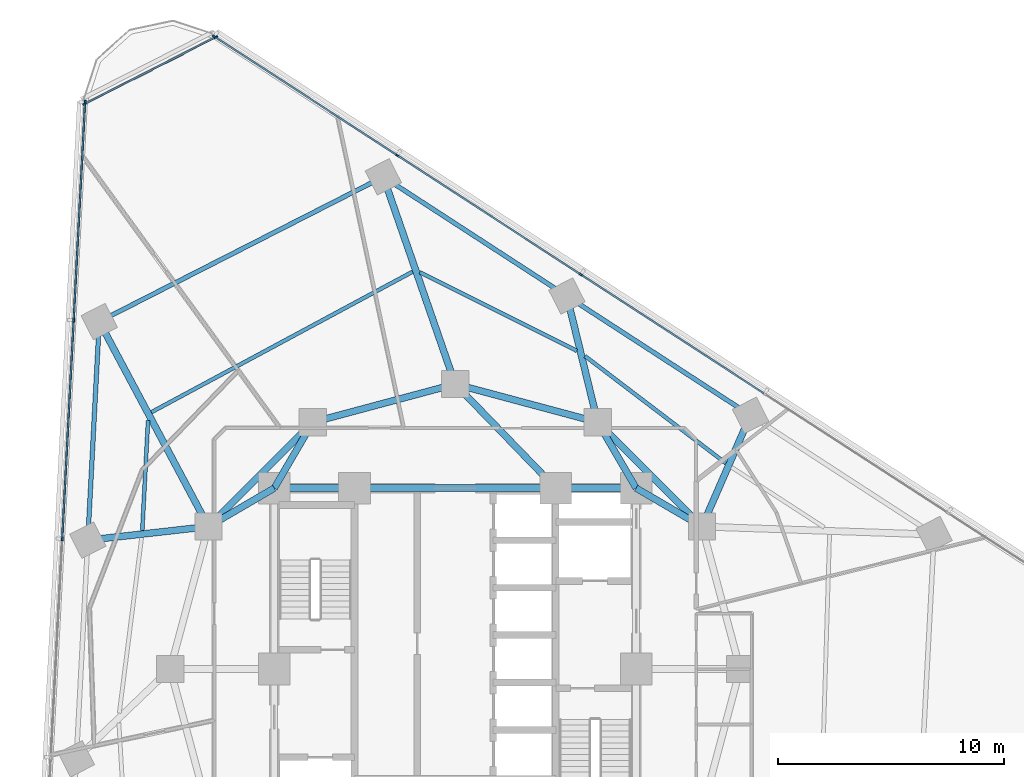
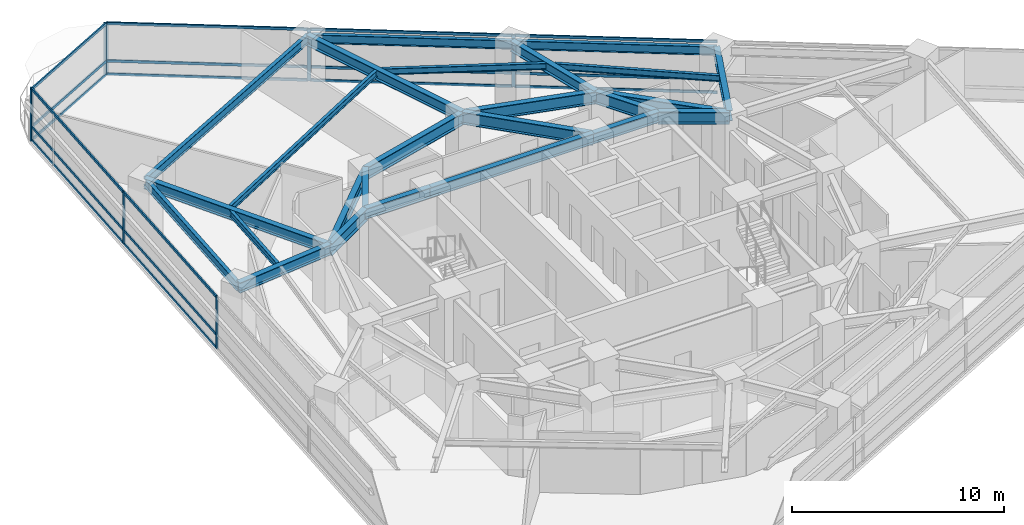
# One storey, part 5 of 14: 26 members, 25 beams, 3 elements without a shape of their own.
"""IFC4 building model written with IfcOpenShell, lengths in metres."""

from ifc_helpers import new_model, si_unit, direction, frame, origin, origin_2d, place, context, subcontext, project, spatial, rectangle, i_section, extrude, material, layer, layer_set, material_profile, profile_set, type_object, element, aggregate, save


model = new_model("IFC4")

# Units and contexts
model_context = context("Model", 3, precision=1e-05, world=origin(), true_north=direction((0.0, 1.0)))
body_context = subcontext(model_context, "Body", "Model", "MODEL_VIEW")
ifc_project = project(units=[si_unit("LENGTHUNIT", "METRE"), si_unit("AREAUNIT", "SQUARE_METRE"), si_unit("VOLUMEUNIT", "CUBIC_METRE"), si_unit("PLANEANGLEUNIT", "RADIAN"), si_unit("MASSUNIT", "GRAM", prefix="KILO")], contexts=[model_context])

# Site, building, storey
site_placement = place(None, origin())
site = spatial("IfcSite", under=ifc_project, at=site_placement, CompositionType="ELEMENT")
building_placement = place(site_placement, origin())
building = spatial("IfcBuilding", under=site, at=building_placement, Name="Terralouvre Media Tower", CompositionType="ELEMENT")
storey_placement = place(building_placement, frame((0.0, 0.0, 119.89990234375)))
storey = spatial("IfcBuildingStorey", under=building, at=storey_placement, Name="L30", CompositionType="ELEMENT", Elevation=119.89990234375)

# Beams
ifc_material_1 = material(Name="Structural steel S355J2", Category="steel")
ifc_material_profile_1 = material_profile(ifc_material_1, i_section(OverallWidth=0.169921875, OverallDepth=0.360107421875, WebThickness=0.008056640625, FlangeThickness=0.0126953125, at=origin_2d()), Name="IPE 360")
ifc_profile_set_1 = profile_set([ifc_material_profile_1], Name="Structural steel S355J2")
beam_type_1 = type_object("IfcBeamType", Name="Composite Floor Joist J-IPE360 (IPE 360)", PredefinedType="JOIST", material=ifc_profile_set_1)
beam_1_placement = place(storey_placement, frame((11.970703125, 9.098388671875, 3.320068359375), z_axis=(-0.795913950382, 0.605409765024, 0.0), x_axis=(-0.605409765024, -0.795913950382, 0.0)))
element("IfcBeam", 1, at=beam_1_placement, inside=storey, type_object=beam_type_1, Name="L30 Framing Beam JT-L30-08", PredefinedType="JOIST", context=body_context, shape_type="SweptSolid", body=[
    extrude(i_section(OverallWidth=0.169921875, OverallDepth=0.360107421875, WebThickness=0.008056640625, FlangeThickness=0.0126953125, at=origin_2d()), origin(), (0.0, 0.0, 1.0), 7.8291015625),
])
beam_2_placement = place(storey_placement, frame((5.37744140625, 14.068603515625, 3.320068359375), z_axis=(-0.893973577097, 0.448119675368, 0.0), x_axis=(-0.448119675368, -0.893973577097, 0.0)))
element("IfcBeam", 2, at=beam_2_placement, inside=storey, type_object=beam_type_1, Name="L30 Framing Beam JT-L30-09", PredefinedType="JOIST", context=body_context, shape_type="SweptSolid", body=[
    extrude(i_section(OverallWidth=0.169921875, OverallDepth=0.360107421875, WebThickness=0.008056640625, FlangeThickness=0.0126953125, at=origin_2d()), origin(), (0.0, 0.0, 1.0), 7.758056640625),
])
beam_3_placement = place(storey_placement, frame((-1.880615234375, 17.569580078125, 3.320068359375), z_axis=(-0.880744642144, -0.473591464592, 0.0), x_axis=(0.473591464592, -0.880744642144, 0.0)))
element("IfcBeam", 3, at=beam_3_placement, inside=storey, type_object=beam_type_1, Name="L30 Framing Beam JT-L30-10", PredefinedType="JOIST", context=body_context, shape_type="SweptSolid", body=[
    extrude(i_section(OverallWidth=0.169921875, OverallDepth=0.360107421875, WebThickness=0.008056640625, FlangeThickness=0.0126953125, at=origin_2d()), origin(), (0.0, 0.0, 1.0), 13.11865234375),
])
beam_4_placement = place(storey_placement, frame((-13.58203125, 10.9970703125, 3.320068359375), z_axis=(-0.052377831518, -0.998627339284, 0.0), x_axis=(0.998627339284, -0.052377831518, 0.0)))
element("IfcBeam", 4, at=beam_4_placement, inside=storey, type_object=beam_type_1, Name="L30 Framing Beam JT-L30-11", PredefinedType="JOIST", context=body_context, shape_type="SweptSolid", body=[
    extrude(i_section(OverallWidth=0.169921875, OverallDepth=0.360107421875, WebThickness=0.008056640625, FlangeThickness=0.0126953125, at=origin_2d()), origin(), (0.0, 0.0, 1.0), 4.884765625),
])

# Curtain wall, members
ifc_material_2 = material(Name="Low-iron laminated double glazing with solar-control coating", Category="glass")
ifc_layer_1 = layer(ifc_material_2, 0.1650390625, Name="Production Studio Tower Curtain Wall CW-03")
ifc_layer_set_1 = layer_set([ifc_layer_1], Name="Low-iron laminated double glazing with solar-control coating")
curtain_wall_type_1 = type_object("IfcCurtainWallType", Name="Production Studio Tower Curtain Wall CW-03", PredefinedType="NOTDEFINED", material=ifc_layer_set_1)
curtain_wall_1_placement = place(storey_placement, origin())
curtain_wall_1 = element("IfcCurtainWall", 5, at=curtain_wall_1_placement, inside=storey, type_object=curtain_wall_type_1, Name="L30 Facade Curtain Wall F1", PredefinedType="NOTDEFINED")
ifc_material_3 = material(Name="Anodised extruded aluminium 6063-T6", Category="aluminium")
ifc_material_profile_2 = material_profile(ifc_material_3, rectangle(XDim=0.074951171875, YDim=0.14990234375, at=origin_2d()), Name="ALU 75x150")
ifc_profile_set_2 = profile_set([ifc_material_profile_2], Name="Anodised extruded aluminium 6063-T6")
member_type_1 = type_object("IfcMemberType", Name="Curtain-Wall Horizontal Transom TR-150", PredefinedType="USERDEFINED", material=ifc_profile_set_2)
member_1_placement = place(storey_placement, frame((13.6416015625, 12.1884765625, 0.03759765625), z_axis=(-0.838672931076, 0.544635396095, 0.0), x_axis=(-0.544635396095, -0.838672931076, 0.0)))
member_1 = element("IfcMember", 6, at=member_1_placement, type_object=member_type_1, Name="CW-03 transom 3.1", ObjectType="TRANSOM", PredefinedType="USERDEFINED", context=body_context, shape_type="SweptSolid", body=[
    extrude(rectangle(XDim=0.074951171875, YDim=0.14990234375, at=origin_2d()), origin(), (0.0, 0.0, 1.0), 9.60498046875),
])
member_2_placement = place(storey_placement, frame((13.6416015625, 12.1884765625, 0.800048828125), z_axis=(-0.838672931076, 0.544635396095, 0.0), x_axis=(-0.544635396095, -0.838672931076, 0.0)))
member_2 = element("IfcMember", 7, at=member_2_placement, type_object=member_type_1, Name="CW-03 transom 3.2", ObjectType="TRANSOM", PredefinedType="USERDEFINED", context=body_context, shape_type="SweptSolid", body=[
    extrude(rectangle(XDim=0.074951171875, YDim=0.14990234375, at=origin_2d()), origin(), (0.0, 0.0, 1.0), 9.60498046875),
])
member_3_placement = place(storey_placement, frame((13.6416015625, 12.1884765625, 2.962646484375), z_axis=(-0.838672931076, 0.544635396095, 0.0), x_axis=(-0.544635396095, -0.838672931076, 0.0)))
member_3 = element("IfcMember", 8, at=member_3_placement, type_object=member_type_1, Name="CW-03 transom 3.3", ObjectType="TRANSOM", PredefinedType="USERDEFINED", context=body_context, shape_type="SweptSolid", body=[
    extrude(rectangle(XDim=0.074951171875, YDim=0.14990234375, at=origin_2d()), origin(), (0.0, 0.0, 1.0), 9.60498046875),
])
member_4_placement = place(storey_placement, frame((5.523193359375, 17.460693359375, 0.03759765625), z_axis=(-0.838672931076, 0.544635396095, 0.0), x_axis=(-0.544635396095, -0.838672931076, 0.0)))
member_4 = element("IfcMember", 9, at=member_4_placement, type_object=member_type_1, Name="CW-03 transom 4.1", ObjectType="TRANSOM", PredefinedType="USERDEFINED", context=body_context, shape_type="SweptSolid", body=[
    extrude(rectangle(XDim=0.074951171875, YDim=0.14990234375, at=origin_2d()), origin(), (0.0, 0.0, 1.0), 9.60498046875),
])
member_5_placement = place(storey_placement, frame((5.523193359375, 17.460693359375, 0.800048828125), z_axis=(-0.838672931076, 0.544635396095, 0.0), x_axis=(-0.544635396095, -0.838672931076, 0.0)))
member_5 = element("IfcMember", 10, at=member_5_placement, type_object=member_type_1, Name="CW-03 transom 4.2", ObjectType="TRANSOM", PredefinedType="USERDEFINED", context=body_context, shape_type="SweptSolid", body=[
    extrude(rectangle(XDim=0.074951171875, YDim=0.14990234375, at=origin_2d()), origin(), (0.0, 0.0, 1.0), 9.60498046875),
])
member_6_placement = place(storey_placement, frame((5.523193359375, 17.460693359375, 2.962646484375), z_axis=(-0.838672931076, 0.544635396095, 0.0), x_axis=(-0.544635396095, -0.838672931076, 0.0)))
member_6 = element("IfcMember", 11, at=member_6_placement, type_object=member_type_1, Name="CW-03 transom 4.3", ObjectType="TRANSOM", PredefinedType="USERDEFINED", context=body_context, shape_type="SweptSolid", body=[
    extrude(rectangle(XDim=0.074951171875, YDim=0.14990234375, at=origin_2d()), origin(), (0.0, 0.0, 1.0), 9.60498046875),
])
member_7_placement = place(storey_placement, frame((-2.594970703125, 22.732666015625, 0.03759765625), z_axis=(-0.838671492993, 0.544637610565, 0.0), x_axis=(-0.544637610565, -0.838671492993, 0.0)))
member_7 = element("IfcMember", 12, at=member_7_placement, type_object=member_type_1, Name="CW-03 transom 5.1", ObjectType="TRANSOM", PredefinedType="USERDEFINED", context=body_context, shape_type="SweptSolid", body=[
    extrude(rectangle(XDim=0.074951171875, YDim=0.14990234375, at=origin_2d()), origin(), (0.0, 0.0, 1.0), 9.567626953125),
])
member_8_placement = place(storey_placement, frame((-2.594970703125, 22.732666015625, 0.800048828125), z_axis=(-0.838671492993, 0.544637610565, 0.0), x_axis=(-0.544637610565, -0.838671492993, 0.0)))
member_8 = element("IfcMember", 13, at=member_8_placement, type_object=member_type_1, Name="CW-03 transom 5.2", ObjectType="TRANSOM", PredefinedType="USERDEFINED", context=body_context, shape_type="SweptSolid", body=[
    extrude(rectangle(XDim=0.074951171875, YDim=0.14990234375, at=origin_2d()), origin(), (0.0, 0.0, 1.0), 9.567626953125),
])
member_9_placement = place(storey_placement, frame((-2.594970703125, 22.732666015625, 2.962646484375), z_axis=(-0.838671492993, 0.544637610565, 0.0), x_axis=(-0.544637610565, -0.838671492993, 0.0)))
member_9 = element("IfcMember", 14, at=member_9_placement, type_object=member_type_1, Name="CW-03 transom 5.3", ObjectType="TRANSOM", PredefinedType="USERDEFINED", context=body_context, shape_type="SweptSolid", body=[
    extrude(rectangle(XDim=0.074951171875, YDim=0.14990234375, at=origin_2d()), origin(), (0.0, 0.0, 1.0), 9.567626953125),
])

curtain_wall_2_placement = place(storey_placement, origin())
curtain_wall_2 = element("IfcCurtainWall", 15, at=curtain_wall_2_placement, inside=storey, type_object=curtain_wall_type_1, Name="L30 Facade Curtain Wall F2", PredefinedType="NOTDEFINED")
member_10_placement = place(storey_placement, frame((-16.364990234375, 25.015869140625, 0.03759765625), z_axis=(-0.052336504837, -0.998629506004, 0.0), x_axis=(0.998629506004, -0.052336504837, 0.0)))
member_10 = element("IfcMember", 16, at=member_10_placement, type_object=member_type_1, Name="CW-03 transom 1.1", ObjectType="TRANSOM", PredefinedType="USERDEFINED", context=body_context, shape_type="SweptSolid", body=[
    extrude(rectangle(XDim=0.074951171875, YDim=0.14990234375, at=origin_2d()), origin(), (0.0, 0.0, 1.0), 9.567626953125),
])
member_11_placement = place(storey_placement, frame((-16.364990234375, 25.015869140625, 0.800048828125), z_axis=(-0.052336504837, -0.998629506004, 0.0), x_axis=(0.998629506004, -0.052336504837, 0.0)))
member_11 = element("IfcMember", 17, at=member_11_placement, type_object=member_type_1, Name="CW-03 transom 1.2", ObjectType="TRANSOM", PredefinedType="USERDEFINED", context=body_context, shape_type="SweptSolid", body=[
    extrude(rectangle(XDim=0.074951171875, YDim=0.14990234375, at=origin_2d()), origin(), (0.0, 0.0, 1.0), 9.567626953125),
])
member_12_placement = place(storey_placement, frame((-16.364990234375, 25.015869140625, 2.962646484375), z_axis=(-0.052336504837, -0.998629506004, 0.0), x_axis=(0.998629506004, -0.052336504837, 0.0)))
member_12 = element("IfcMember", 18, at=member_12_placement, type_object=member_type_1, Name="CW-03 transom 1.3", ObjectType="TRANSOM", PredefinedType="USERDEFINED", context=body_context, shape_type="SweptSolid", body=[
    extrude(rectangle(XDim=0.074951171875, YDim=0.14990234375, at=origin_2d()), origin(), (0.0, 0.0, 1.0), 9.567626953125),
])
member_13_placement = place(storey_placement, frame((-16.86962890625, 15.386474609375, 0.03759765625), z_axis=(-0.052336036535, -0.998629530547, 0.0), x_axis=(0.998629530547, -0.052336036535, 0.0)))
member_13 = element("IfcMember", 19, at=member_13_placement, type_object=member_type_1, Name="CW-03 transom 2.1", ObjectType="TRANSOM", PredefinedType="USERDEFINED", context=body_context, shape_type="SweptSolid", body=[
    extrude(rectangle(XDim=0.074951171875, YDim=0.14990234375, at=origin_2d()), origin(), (0.0, 0.0, 1.0), 9.60498046875),
])
member_14_placement = place(storey_placement, frame((-16.86962890625, 15.386474609375, 0.800048828125), z_axis=(-0.052336036535, -0.998629530547, 0.0), x_axis=(0.998629530547, -0.052336036535, 0.0)))
member_14 = element("IfcMember", 20, at=member_14_placement, type_object=member_type_1, Name="CW-03 transom 2.2", ObjectType="TRANSOM", PredefinedType="USERDEFINED", context=body_context, shape_type="SweptSolid", body=[
    extrude(rectangle(XDim=0.074951171875, YDim=0.14990234375, at=origin_2d()), origin(), (0.0, 0.0, 1.0), 9.60498046875),
])
member_15_placement = place(storey_placement, frame((-16.86962890625, 15.386474609375, 2.962646484375), z_axis=(-0.052336036535, -0.998629530547, 0.0), x_axis=(0.998629530547, -0.052336036535, 0.0)))
member_15 = element("IfcMember", 21, at=member_15_placement, type_object=member_type_1, Name="CW-03 transom 2.3", ObjectType="TRANSOM", PredefinedType="USERDEFINED", context=body_context, shape_type="SweptSolid", body=[
    extrude(rectangle(XDim=0.074951171875, YDim=0.14990234375, at=origin_2d()), origin(), (0.0, 0.0, 1.0), 9.60498046875),
])

ifc_material_4 = material(Name="Low-iron laminated double glazing with solar-control coating", Category="glass")
ifc_layer_2 = layer(ifc_material_4, 0.1650390625, Name="Rounded Wind-Corner Curved Glazing CW-04")
ifc_layer_set_2 = layer_set([ifc_layer_2], Name="Low-iron laminated double glazing with solar-control coating")
curtain_wall_type_2 = type_object("IfcCurtainWallType", Name="Rounded Wind-Corner Curved Glazing CW-04", PredefinedType="NOTDEFINED", material=ifc_layer_set_2)
curtain_wall_3_placement = place(storey_placement, origin())
curtain_wall_3 = element("IfcCurtainWall", 22, at=curtain_wall_3_placement, inside=storey, type_object=curtain_wall_type_2, Name="L30 Rounded Wind-Corner Curtain Wall C2", PredefinedType="NOTDEFINED")
member_16_placement = place(storey_placement, frame((-10.619873046875, 27.92626953125, 0.03759765625), z_axis=(-0.891007919555, -0.453987761167, 0.0), x_axis=(0.453987761167, -0.891007919555, 0.0)))
member_16 = element("IfcMember", 23, at=member_16_placement, type_object=member_type_1, Name="CW-04 transom 1.1", ObjectType="TRANSOM", PredefinedType="USERDEFINED", context=body_context, shape_type="SweptSolid", body=[
    extrude(rectangle(XDim=0.074951171875, YDim=0.14990234375, at=origin_2d()), origin(), (0.0, 0.0, 1.0), 6.431640625),
])
member_17_placement = place(storey_placement, frame((-10.619873046875, 27.92626953125, 0.800048828125), z_axis=(-0.891007919555, -0.453987761167, 0.0), x_axis=(0.453987761167, -0.891007919555, 0.0)))
member_17 = element("IfcMember", 24, at=member_17_placement, type_object=member_type_1, Name="CW-04 transom 1.2", ObjectType="TRANSOM", PredefinedType="USERDEFINED", context=body_context, shape_type="SweptSolid", body=[
    extrude(rectangle(XDim=0.074951171875, YDim=0.14990234375, at=origin_2d()), origin(), (0.0, 0.0, 1.0), 6.431640625),
])
member_18_placement = place(storey_placement, frame((-10.619873046875, 27.92626953125, 2.962646484375), z_axis=(-0.891007919555, -0.453987761167, 0.0), x_axis=(0.453987761167, -0.891007919555, 0.0)))
member_18 = element("IfcMember", 25, at=member_18_placement, type_object=member_type_1, Name="CW-04 transom 1.3", ObjectType="TRANSOM", PredefinedType="USERDEFINED", context=body_context, shape_type="SweptSolid", body=[
    extrude(rectangle(XDim=0.074951171875, YDim=0.14990234375, at=origin_2d()), origin(), (0.0, 0.0, 1.0), 6.431640625),
])

# Member
ifc_material_5 = material(Name="Anodised extruded aluminium 6063-T6", Category="aluminium")
ifc_material_profile_3 = material_profile(ifc_material_5, rectangle(XDim=0.074951171875, YDim=0.179931640625, at=origin_2d()), Name="ALU 75x180")
ifc_profile_set_3 = profile_set([ifc_material_profile_3], Name="Anodised extruded aluminium 6063-T6")
member_type_2 = type_object("IfcMemberType", Name="Curtain-Wall Vertical Mullion ML-180", PredefinedType="MULLION", material=ifc_profile_set_3)
member_19_placement = place(storey_placement, frame((5.5546875, 17.440185546875, 0.0), z_axis=(0.0, 0.0, 1.0), x_axis=(-0.544639002681, -0.838670588944, 0.0)))
member_19 = element("IfcMember", 26, at=member_19_placement, type_object=member_type_2, Name="CW-03 mullion 4", PredefinedType="MULLION", context=body_context, shape_type="SweptSolid", body=[
    extrude(rectangle(XDim=0.074951171875, YDim=0.179931640625, at=origin_2d()), origin(), (0.0, 0.0, 1.0), 3.0),
])

member_20_placement = place(storey_placement, frame((-2.5634765625, 22.712158203125, 0.0), z_axis=(0.0, 0.0, 1.0), x_axis=(-0.544639002681, -0.838670588944, 0.0)))
member_20 = element("IfcMember", 27, at=member_20_placement, type_object=member_type_2, Name="CW-03 mullion 5", PredefinedType="MULLION", context=body_context, shape_type="SweptSolid", body=[
    extrude(rectangle(XDim=0.074951171875, YDim=0.179931640625, at=origin_2d()), origin(), (0.0, 0.0, 1.0), 3.0),
])

member_21_placement = place(storey_placement, frame((-10.650390625, 27.9638671875, 0.0), z_axis=(0.0, 0.0, 1.0), x_axis=(-0.544639002681, -0.838670588944, 0.0)))
member_21 = element("IfcMember", 28, at=member_21_placement, type_object=member_type_2, Name="CW-03 mullion 6", PredefinedType="MULLION", context=body_context, shape_type="SweptSolid", body=[
    extrude(rectangle(XDim=0.074951171875, YDim=0.179931640625, at=origin_2d()), origin(), (0.0, 0.0, 1.0), 3.0),
])

aggregate(curtain_wall_1, [member_19, member_20, member_21, member_1, member_2, member_3, member_4, member_5, member_6, member_7, member_8, member_9])

member_22_placement = place(storey_placement, frame((-16.363037109375, 25.05322265625, 0.0), z_axis=(0.0, 0.0, 1.0), x_axis=(0.998629535089, -0.052335949864, 0.0)))
member_22 = element("IfcMember", 29, at=member_22_placement, type_object=member_type_2, Name="CW-03 mullion 1", PredefinedType="MULLION", context=body_context, shape_type="SweptSolid", body=[
    extrude(rectangle(XDim=0.074951171875, YDim=0.179931640625, at=origin_2d()), origin(), (0.0, 0.0, 1.0), 3.0),
])

member_23_placement = place(storey_placement, frame((-16.86767578125, 15.423828125, 0.0), z_axis=(0.0, 0.0, 1.0), x_axis=(0.998629535089, -0.052335949864, 0.0)))
member_23 = element("IfcMember", 30, at=member_23_placement, type_object=member_type_2, Name="CW-03 mullion 2", PredefinedType="MULLION", context=body_context, shape_type="SweptSolid", body=[
    extrude(rectangle(XDim=0.074951171875, YDim=0.179931640625, at=origin_2d()), origin(), (0.0, 0.0, 1.0), 3.0),
])

member_24_placement = place(storey_placement, frame((-17.374267578125, 5.757080078125, 0.0), z_axis=(0.0, 0.0, 1.0), x_axis=(0.998629535089, -0.052335949864, 0.0)))
member_24 = element("IfcMember", 31, at=member_24_placement, type_object=member_type_2, Name="CW-03 mullion 3", PredefinedType="MULLION", context=body_context, shape_type="SweptSolid", body=[
    extrude(rectangle(XDim=0.074951171875, YDim=0.179931640625, at=origin_2d()), origin(), (0.0, 0.0, 1.0), 3.0),
])

aggregate(curtain_wall_2, [member_22, member_23, member_24, member_10, member_11, member_12, member_13, member_14, member_15])

member_25_placement = place(storey_placement, frame((-10.58642578125, 27.943359375, 0.0), z_axis=(0.0, 0.0, 1.0), x_axis=(0.45399035059, -0.891006600184, 0.0)))
member_25 = element("IfcMember", 32, at=member_25_placement, type_object=member_type_2, Name="CW-04 mullion 1", PredefinedType="MULLION", context=body_context, shape_type="SweptSolid", body=[
    extrude(rectangle(XDim=0.074951171875, YDim=0.179931640625, at=origin_2d()), origin(), (0.0, 0.0, 1.0), 3.0),
])

member_26_placement = place(storey_placement, frame((-16.384033203125, 24.9892578125, 0.0), z_axis=(0.0, 0.0, 1.0), x_axis=(0.45399035059, -0.891006600184, 0.0)))
member_26 = element("IfcMember", 33, at=member_26_placement, type_object=member_type_2, Name="CW-04 mullion 2", PredefinedType="MULLION", context=body_context, shape_type="SweptSolid", body=[
    extrude(rectangle(XDim=0.074951171875, YDim=0.179931640625, at=origin_2d()), origin(), (0.0, 0.0, 1.0), 3.0),
])

aggregate(curtain_wall_3, [member_25, member_26, member_16, member_17, member_18])

# Beams
ifc_material_6 = material(Name="Structural steel S355J2", Category="steel")
ifc_material_profile_4 = material_profile(ifc_material_6, i_section(OverallWidth=0.199951171875, OverallDepth=0.5, WebThickness=0.01025390625, FlangeThickness=0.01611328125, at=origin_2d()), Name="IPE 500")
ifc_profile_set_4 = profile_set([ifc_material_profile_4], Name="Structural steel S355J2")
beam_type_2 = type_object("IfcBeamType", Name="Perimeter Spandrel Beam SPB-500 (IPE 500)", PredefinedType="SPANDREL", material=ifc_profile_set_4)
for number, where, z_axis, x_axis, name in (
    (34, (13.0576171875, 11.220458984375, 3.25), (-0.838679216118, 0.544625717765, 0.0), (-0.544625717765, -0.838679216118, 0.0), "L30 Framing Beam BM-L30-PR08"),
    (35, (4.939208984375, 16.492431640625, 3.25), (-0.838660214263, 0.544654977956, 0.0), (-0.544654977956, -0.838660214263, 0.0), "L30 Framing Beam BM-L30-PR09"),
):
    element("IfcBeam", number, at=place(storey_placement, frame(where, z_axis=z_axis, x_axis=x_axis)), inside=storey, type_object=beam_type_2, Name=name, PredefinedType="SPANDREL", context=body_context, shape_type="SweptSolid", body=[
        extrude(i_section(OverallWidth=0.199951171875, OverallDepth=0.5, WebThickness=0.01025390625, FlangeThickness=0.01611328125, at=origin_2d()), origin(), (0.0, 0.0, 1.0), 9.679931640625),
    ])
beam_5_placement = place(storey_placement, frame((-3.178955078125, 21.7646484375, 3.25), z_axis=(-0.891003412269, -0.453996607173, 0.0), x_axis=(0.453996607173, -0.891003412269, 0.0)))
element("IfcBeam", 36, at=beam_5_placement, inside=storey, type_object=beam_type_2, Name="L30 Framing Beam BM-L30-PR10", PredefinedType="SPANDREL", context=body_context, shape_type="SweptSolid", body=[
    extrude(i_section(OverallWidth=0.199951171875, OverallDepth=0.5, WebThickness=0.01025390625, FlangeThickness=0.01611328125, at=origin_2d()), origin(), (0.0, 0.0, 1.0), 14.096923828125),
])
beam_6_placement = place(storey_placement, frame((-15.7392578125, 15.36474609375, 3.25), z_axis=(-0.052333792648, -0.998629648141, 0.0), x_axis=(0.998629648141, -0.052333792648, 0.0)))
element("IfcBeam", 37, at=beam_6_placement, inside=storey, type_object=beam_type_2, Name="L30 Framing Beam BM-L30-PR11", PredefinedType="SPANDREL", context=body_context, shape_type="SweptSolid", body=[
    extrude(i_section(OverallWidth=0.199951171875, OverallDepth=0.5, WebThickness=0.01025390625, FlangeThickness=0.01611328125, at=origin_2d()), origin(), (0.0, 0.0, 1.0), 9.679931640625),
])
ifc_material_7 = material(Name="Structural steel S460M", Category="steel")
ifc_material_profile_5 = material_profile(ifc_material_7, i_section(OverallWidth=0.300048828125, OverallDepth=0.60009765625, WebThickness=0.015380859375, FlangeThickness=0.030029296875, at=origin_2d()), Name="HEB 600")
ifc_profile_set_5 = profile_set([ifc_material_profile_5], Name="Structural steel S460M")
beam_type_3 = type_object("IfcBeamType", Name="Primary Floor Girder B-HEB600 (HEB 600)", PredefinedType="BEAM", material=ifc_profile_set_5)
beam_7_placement = place(storey_placement, frame((8.0, 8.0, 3.2001953125), z_axis=(-1.0, 0.0, 0.0), x_axis=(0.0, -1.0, 0.0)))
element("IfcBeam", 38, at=beam_7_placement, inside=storey, type_object=beam_type_3, Name="L30 Framing Beam BM-L30-CPR06", PredefinedType="BEAM", context=body_context, shape_type="SweptSolid", body=[
    extrude(i_section(OverallWidth=0.300048828125, OverallDepth=0.60009765625, WebThickness=0.015380859375, FlangeThickness=0.030029296875, at=origin_2d()), origin(), (0.0, 0.0, 1.0), 3.550048828125),
])
beam_8_placement = place(storey_placement, frame((4.449951171875, 8.0, 3.2001953125), z_axis=(-1.0, 0.0, 0.0), x_axis=(0.0, -1.0, 0.0)))
element("IfcBeam", 39, at=beam_8_placement, inside=storey, type_object=beam_type_3, Name="L30 Framing Beam BM-L30-CPR07", PredefinedType="BEAM", context=body_context, shape_type="SweptSolid", body=[
    extrude(i_section(OverallWidth=0.300048828125, OverallDepth=0.60009765625, WebThickness=0.015380859375, FlangeThickness=0.030029296875, at=origin_2d()), origin(), (0.0, 0.0, 1.0), 8.89990234375),
])
beam_9_placement = place(storey_placement, frame((-4.449951171875, 8.0, 3.2001953125), z_axis=(-1.0, 0.0, 0.0), x_axis=(0.0, -1.0, 0.0)))
element("IfcBeam", 40, at=beam_9_placement, inside=storey, type_object=beam_type_3, Name="L30 Framing Beam BM-L30-CPR08", PredefinedType="BEAM", context=body_context, shape_type="SweptSolid", body=[
    extrude(i_section(OverallWidth=0.300048828125, OverallDepth=0.60009765625, WebThickness=0.015380859375, FlangeThickness=0.030029296875, at=origin_2d()), origin(), (0.0, 0.0, 1.0), 3.550048828125),
])
beam_10_placement = place(storey_placement, frame((10.911865234375, 6.300048828125, 3.2001953125), z_axis=(0.39973535277, 0.916630595031, 0.0), x_axis=(-0.916630595031, 0.39973535277, 0.0)))
element("IfcBeam", 41, at=beam_10_placement, inside=storey, type_object=beam_type_3, Name="L30 Framing Beam BM-L30-RD08", PredefinedType="BEAM", context=body_context, shape_type="SweptSolid", body=[
    extrude(i_section(OverallWidth=0.300048828125, OverallDepth=0.60009765625, WebThickness=0.015380859375, FlangeThickness=0.030029296875, at=origin_2d()), origin(), (0.0, 0.0, 1.0), 5.367919921875),
])
beam_11_placement = place(storey_placement, frame((6.300048828125, 10.911865234375, 3.2001953125), z_axis=(-0.23691117125, 0.971531315469, 0.0), x_axis=(-0.971531315469, -0.23691117125, 0.0)))
element("IfcBeam", 42, at=beam_11_placement, inside=storey, type_object=beam_type_3, Name="L30 Framing Beam BM-L30-RD09", PredefinedType="BEAM", context=body_context, shape_type="SweptSolid", body=[
    extrude(i_section(OverallWidth=0.300048828125, OverallDepth=0.60009765625, WebThickness=0.015380859375, FlangeThickness=0.030029296875, at=origin_2d()), origin(), (0.0, 0.0, 1.0), 5.744140625),
])
beam_12_placement = place(storey_placement, frame((0.0, 12.60009765625, 3.2001953125), z_axis=(-0.327719061781, 0.944775220116, 0.0), x_axis=(-0.944775220116, -0.327719061781, 0.0)))
element("IfcBeam", 43, at=beam_12_placement, inside=storey, type_object=beam_type_3, Name="L30 Framing Beam BM-L30-RD10", PredefinedType="BEAM", context=body_context, shape_type="SweptSolid", body=[
    extrude(i_section(OverallWidth=0.300048828125, OverallDepth=0.60009765625, WebThickness=0.015380859375, FlangeThickness=0.030029296875, at=origin_2d()), origin(), (0.0, 0.0, 1.0), 9.7001953125),
])
beam_13_placement = place(storey_placement, frame((-10.911865234375, 6.300048828125, 3.2001953125), z_axis=(-0.470048953024, 0.882640346778, 0.0), x_axis=(-0.882640346778, -0.470048953024, 0.0)))
element("IfcBeam", 44, at=beam_13_placement, inside=storey, type_object=beam_type_3, Name="L30 Framing Beam BM-L30-RD11", PredefinedType="BEAM", context=body_context, shape_type="SweptSolid", body=[
    extrude(i_section(OverallWidth=0.300048828125, OverallDepth=0.60009765625, WebThickness=0.015380859375, FlangeThickness=0.030029296875, at=origin_2d()), origin(), (0.0, 0.0, 1.0), 10.27001953125),
])
beam_14_placement = place(storey_placement, frame((-10.911865234375, 6.300048828125, 3.2001953125), z_axis=(-0.993690322099, -0.112158565283, 0.0), x_axis=(0.112158565283, -0.993690322099, 0.0)))
element("IfcBeam", 45, at=beam_14_placement, inside=storey, type_object=beam_type_3, Name="L30 Framing Beam BM-L30-RD12", PredefinedType="BEAM", context=body_context, shape_type="SweptSolid", body=[
    extrude(i_section(OverallWidth=0.300048828125, OverallDepth=0.60009765625, WebThickness=0.015380859375, FlangeThickness=0.030029296875, at=origin_2d()), origin(), (0.0, 0.0, 1.0), 5.367919921875),
])
ifc_material_8 = material(Name="Structural steel S460M", Category="steel")
ifc_material_profile_6 = material_profile(ifc_material_8, i_section(OverallWidth=0.300048828125, OverallDepth=0.699951171875, WebThickness=0.01708984375, FlangeThickness=0.031982421875, at=origin_2d()), Name="HEB 700")
ifc_profile_set_6 = profile_set([ifc_material_profile_6], Name="Structural steel S460M")
beam_type_4 = type_object("IfcBeamType", Name="Primary Floor Girder B-HEB700 (HEB 700)", PredefinedType="BEAM", material=ifc_profile_set_6)
beam_15_placement = place(storey_placement, frame((10.911865234375, 6.300048828125, 3.150146484375), z_axis=(-0.707106781187, 0.707106781187, 0.0), x_axis=(-0.707106781187, -0.707106781187, 0.0)))
element("IfcBeam", 46, at=beam_15_placement, inside=storey, type_object=beam_type_4, Name="L30 Framing Beam BM-L30-MR07", PredefinedType="BEAM", context=body_context, shape_type="SweptSolid", body=[
    extrude(i_section(OverallWidth=0.300048828125, OverallDepth=0.699951171875, WebThickness=0.01708984375, FlangeThickness=0.031982421875, at=origin_2d()), origin(), (0.0, 0.0, 1.0), 6.52197265625),
])
for number, where, z_axis, x_axis, name in (
    (47, (6.300048828125, 10.911865234375, 3.150146484375), (-0.965920481897, 0.258838989821, 0.0), (-0.258838989821, -0.965920481897, 0.0), "L30 Framing Beam BM-L30-MR08"),
    (48, (0.0, 12.60009765625, 3.150146484375), (-0.965920481897, -0.258838989821, 0.0), (0.258838989821, -0.965920481897, 0.0), "L30 Framing Beam BM-L30-MR09"),
):
    element("IfcBeam", number, at=place(storey_placement, frame(where, z_axis=z_axis, x_axis=x_axis)), inside=storey, type_object=beam_type_4, Name=name, PredefinedType="BEAM", context=body_context, shape_type="SweptSolid", body=[
        extrude(i_section(OverallWidth=0.300048828125, OverallDepth=0.699951171875, WebThickness=0.01708984375, FlangeThickness=0.031982421875, at=origin_2d()), origin(), (0.0, 0.0, 1.0), 6.522216796875),
    ])
beam_16_placement = place(storey_placement, frame((-6.300048828125, 10.911865234375, 3.150146484375), z_axis=(-0.707106781187, -0.707106781187, 0.0), x_axis=(0.707106781187, -0.707106781187, 0.0)))
element("IfcBeam", 49, at=beam_16_placement, inside=storey, type_object=beam_type_4, Name="L30 Framing Beam BM-L30-MR10", PredefinedType="BEAM", context=body_context, shape_type="SweptSolid", body=[
    extrude(i_section(OverallWidth=0.300048828125, OverallDepth=0.699951171875, WebThickness=0.01708984375, FlangeThickness=0.031982421875, at=origin_2d()), origin(), (0.0, 0.0, 1.0), 6.52197265625),
])
for number, where, z_axis, x_axis, name in (
    (50, (8.0, 8.0, 3.150146484375), (0.863602894532, -0.504172629717, 0.0), (0.504172629717, 0.863602894532, 0.0), "L30 Framing Beam BM-L30-CM07"),
    (51, (8.0, 8.0, 3.150146484375), (-0.504172629717, 0.863602894532, 0.0), (-0.863602894532, -0.504172629717, 0.0), "L30 Framing Beam BM-L30-CM08"),
):
    element("IfcBeam", number, at=place(storey_placement, frame(where, z_axis=z_axis, x_axis=x_axis)), inside=storey, type_object=beam_type_4, Name=name, PredefinedType="BEAM", context=body_context, shape_type="SweptSolid", body=[
        extrude(i_section(OverallWidth=0.300048828125, OverallDepth=0.699951171875, WebThickness=0.01708984375, FlangeThickness=0.031982421875, at=origin_2d()), origin(), (0.0, 0.0, 1.0), 3.371826171875),
    ])
beam_17_placement = place(storey_placement, frame((4.449951171875, 8.0, 3.150146484375), z_axis=(-0.695279715726, 0.718739255155, 0.0), x_axis=(-0.718739255155, -0.695279715726, 0.0)))
element("IfcBeam", 52, at=beam_17_placement, inside=storey, type_object=beam_type_4, Name="L30 Framing Beam BM-L30-CM09", PredefinedType="BEAM", context=body_context, shape_type="SweptSolid", body=[
    extrude(i_section(OverallWidth=0.300048828125, OverallDepth=0.699951171875, WebThickness=0.01708984375, FlangeThickness=0.031982421875, at=origin_2d()), origin(), (0.0, 0.0, 1.0), 6.400146484375),
])
for number, where, z_axis, x_axis, name in (
    (53, (-8.0, 8.0, 3.150146484375), (0.504172629717, 0.863602894532, 0.0), (-0.863602894532, 0.504172629717, 0.0), "L30 Framing Beam BM-L30-CM10"),
    (54, (-8.0, 8.0, 3.150146484375), (-0.863602894532, -0.504172629717, 0.0), (0.504172629717, -0.863602894532, 0.0), "L30 Framing Beam BM-L30-CM11"),
):
    element("IfcBeam", number, at=place(storey_placement, frame(where, z_axis=z_axis, x_axis=x_axis)), inside=storey, type_object=beam_type_4, Name=name, PredefinedType="BEAM", context=body_context, shape_type="SweptSolid", body=[
        extrude(i_section(OverallWidth=0.300048828125, OverallDepth=0.699951171875, WebThickness=0.01708984375, FlangeThickness=0.031982421875, at=origin_2d()), origin(), (0.0, 0.0, 1.0), 3.371826171875),
    ])

save(model, "model.ifc")
